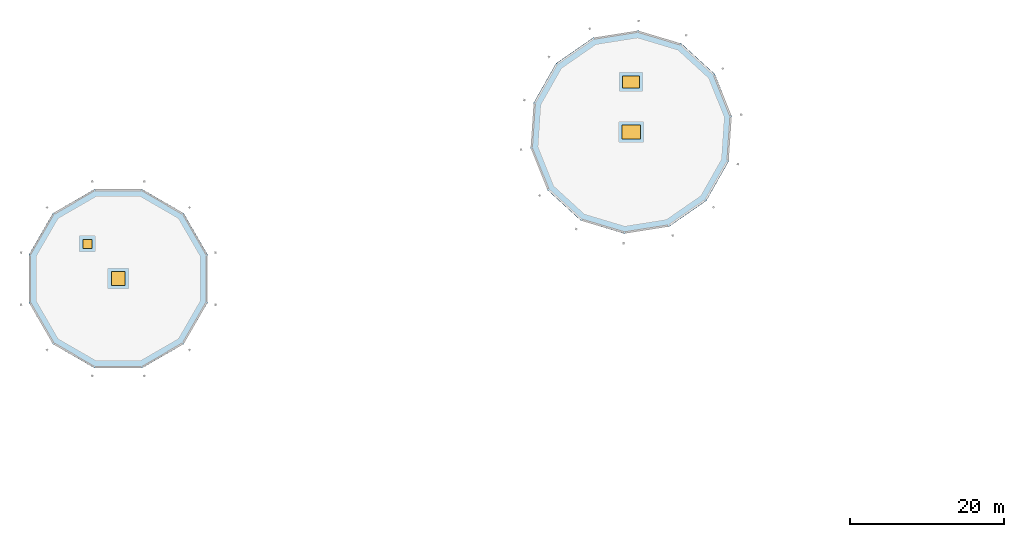
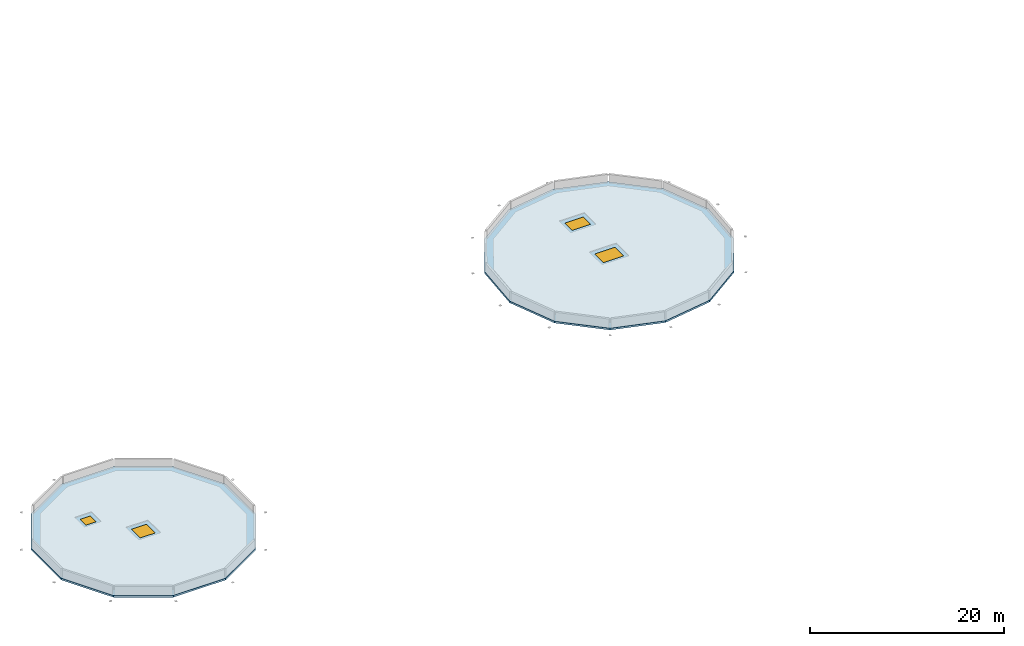
# One storey, part 5 of 18: 4 windows, 2 slabs, 4 openings.
"""IFC4 building model written with IfcOpenShell, lengths in metres."""

import ifcopenshell
import ifcopenshell.guid

model = None  # the IFC model being written
_history = None  # IfcOwnerHistory: only IFC2X3 demands one
_inside = {}  # id of a spatial element -> (the spatial element, [elements in it])
_under = {}  # id of a project, library or spatial element -> (it, [spatial elements below it])
_declared = {}  # id of a project -> (the project, [libraries it declares])
_typed = {}  # id of a type object -> (the type object, [elements of that type])
_made_of = {}  # id of a material, layer set ... -> (it, [elements and type objects made of it])


def new_model(schema):
    """Start an empty IFC model of exactly this schema.

    Asked for "IFC4X3", IfcOpenShell would pick the latest addendum, in which some entities
    have other attributes; the version numbers below select the first issue.
    IFC2X3 requires an IfcOwnerHistory on every rooted entity: one is made here for all.
    """
    global model, _history
    if schema == "IFC4X3":
        model = ifcopenshell.file(schema_version=(4, 3, 0, 0))
    else:
        model = ifcopenshell.file(schema=schema)
    _inside.clear()
    _under.clear()
    _declared.clear()
    _typed.clear()
    _made_of.clear()
    _history = None
    if model.schema == "IFC2X3":
        org = make("IfcOrganization", Name="unknown")
        user = make(
            "IfcPersonAndOrganization",
            ThePerson=make("IfcPerson", FamilyName="unknown"),
            TheOrganization=org,
        )
        app = make(
            "IfcApplication",
            ApplicationDeveloper=org,
            Version="unknown",
            ApplicationFullName="unknown",
            ApplicationIdentifier="unknown",
        )
        _history = make(
            "IfcOwnerHistory",
            OwningUser=user,
            OwningApplication=app,
            ChangeAction="ADDED",
            CreationDate=0,
        )
    return model


def make(cls, **values):
    """One entity of the class cls with the attributes given. An attribute that is None is left unset."""
    return model.create_entity(
        cls, **{name: value for name, value in values.items() if value is not None}
    )


def rooted(cls, **values):
    """An entity with a GlobalId (a new one), such as an element, a storey or a relation."""
    return make(cls, GlobalId=ifcopenshell.guid.new(), OwnerHistory=_history, **values)


def si_unit(unit_type, name, prefix=None):
    """IfcSIUnit, for example si_unit("LENGTHUNIT", "METRE", prefix="MILLI")."""
    return make("IfcSIUnit", UnitType=unit_type, Prefix=prefix, Name=name)


def assignment(units):
    """IfcUnitAssignment: the units of a project."""
    return None if units is None else make("IfcUnitAssignment", Units=units)


def point(xyz):
    """IfcCartesianPoint."""
    return None if xyz is None else make("IfcCartesianPoint", Coordinates=xyz)


def direction(xyz):
    """IfcDirection."""
    return None if xyz is None else make("IfcDirection", DirectionRatios=xyz)


def frame(location, z_axis=None, x_axis=None):
    """IfcAxis2Placement3D, a coordinate frame: its origin and axes. An axis left out is left unset."""
    return make(
        "IfcAxis2Placement3D",
        Location=point(location),
        Axis=direction(z_axis),
        RefDirection=direction(x_axis),
    )


def frame_2d(location, x_axis=None):
    """IfcAxis2Placement2D, a coordinate frame in the plane: its origin and x axis."""
    return make(
        "IfcAxis2Placement2D", Location=point(location), RefDirection=direction(x_axis)
    )


def origin():
    """The frame at (0, 0, 0) with its axes left unset."""
    return frame((0.0, 0.0, 0.0))


def origin_2d():
    """The frame at (0, 0) in the plane with its x axis left unset."""
    return frame_2d((0.0, 0.0))


def place(relative_to, where):
    """IfcLocalPlacement: puts the frame where relative to a parent placement (None: the world)."""
    return make(
        "IfcLocalPlacement", PlacementRelTo=relative_to, RelativePlacement=where
    )


def context(
    kind, dimensions, precision=None, world=None, true_north=None, identifier=None
):
    """IfcGeometricRepresentationContext, for example the 3D "Model" context."""
    return make(
        "IfcGeometricRepresentationContext",
        ContextIdentifier=identifier,
        ContextType=kind,
        CoordinateSpaceDimension=dimensions,
        Precision=precision,
        WorldCoordinateSystem=world,
        TrueNorth=true_north,
    )


def subcontext(parent, identifier, kind, view, scale=None):
    """IfcGeometricRepresentationSubContext, for example "Body" below "Model"."""
    return make(
        "IfcGeometricRepresentationSubContext",
        ContextIdentifier=identifier,
        ContextType=kind,
        ParentContext=parent,
        TargetScale=scale,
        TargetView=view,
    )


def project(units=None, contexts=None):
    """IfcProject with its units and contexts."""
    return rooted(
        "IfcProject",
        Name="project",
        RepresentationContexts=contexts,
        UnitsInContext=assignment(units),
    )


def spatial(cls, under=None, at=None, **own):
    """A site, building, storey or space (cls), placed at a placement, below another one or the project."""
    s = rooted(cls, ObjectPlacement=at, **own)
    if under is not None:
        _under.setdefault(under.id(), (under, []))[1].append(s)
    return s


def polyline(points):
    """IfcPolyline through the points."""
    return make("IfcPolyline", Points=[point(p) for p in points])


def profile(cls, at=None, kind="AREA", **sizes):
    """A parametric profile (cls). Its sizes go by their IFC names, for example OverallWidth=200.0."""
    return make(cls, ProfileType=kind, Position=at, **sizes)


def rectangle(**sizes):
    """IfcRectangleProfileDef."""
    return profile("IfcRectangleProfileDef", **sizes)


def outline(outer, holes=None, kind="AREA"):
    """IfcArbitraryClosedProfileDef: a profile drawn as a closed curve; with holes, ...WithVoids."""
    if holes is None:
        return make("IfcArbitraryClosedProfileDef", ProfileType=kind, OuterCurve=outer)
    return make(
        "IfcArbitraryProfileDefWithVoids",
        ProfileType=kind,
        OuterCurve=outer,
        InnerCurves=holes,
    )


def extrude(swept, where, along, depth):
    """IfcExtrudedAreaSolid: the profile swept, set in the frame where, extruded along a direction by depth."""
    return make(
        "IfcExtrudedAreaSolid",
        SweptArea=swept,
        Position=where,
        ExtrudedDirection=direction(along),
        Depth=depth,
    )


def shape(context_of_items, identifier, shape_type, items):
    """IfcShapeRepresentation: the items that make up one representation, for example the "Body"."""
    return make(
        "IfcShapeRepresentation",
        ContextOfItems=context_of_items,
        RepresentationIdentifier=identifier,
        RepresentationType=shape_type,
        Items=items,
    )


def material(Name=None, Category=None):
    """IfcMaterial."""
    return make("IfcMaterial", Name=Name, Category=Category)


def layer(
    of_material, thickness, ventilated=None, Name=None, Category=None, Priority=None
):
    """IfcMaterialLayer: one layer of a wall or slab, of a material (None: an air gap)."""
    return make(
        "IfcMaterialLayer",
        Material=of_material,
        LayerThickness=thickness,
        IsVentilated=ventilated,
        Name=Name,
        Category=Category,
        Priority=Priority,
    )


def layer_set(layers, Name=None):
    """IfcMaterialLayerSet."""
    return make("IfcMaterialLayerSet", MaterialLayers=layers, LayerSetName=Name)


def made_of(thing, what):
    """Note that an element or type object is made of a material, layer set ...; save() writes the relation."""
    if what is not None:
        _made_of.setdefault(what.id(), (what, []))[1].append(thing)
    return thing


def type_object(cls, material=None, **own):
    """A type object (cls), such as IfcWallType, which elements share."""
    return made_of(rooted(cls, **own), material)


def element(
    cls,
    number,
    at=None,
    inside=None,
    cuts=None,
    type_object=None,
    material=None,
    context=None,
    identifier="Body",
    shape_type=None,
    held_by="IfcProductDefinitionShape",
    body=None,
    shapes=None,
    **own,
):
    """One element of the class cls, such as IfcWall. Its Tag is "e" and its number.

    at: its placement. inside: the storey or other place that contains it. cuts: it is an
    opening in that element (IfcRelVoidsElement). A single representation is given by context,
    identifier, shape_type and body (its items); several are given by shapes. held_by: the class
    of the entity that holds the representations. save() writes the other relations.
    """
    e = rooted(cls, Tag="e%d" % number, ObjectPlacement=at, **own)
    if body is not None:
        shapes = [shape(context, identifier, shape_type, body)]
    if shapes is not None:
        e.Representation = make(held_by, Representations=shapes)
    if inside is not None:
        _inside.setdefault(inside.id(), (inside, []))[1].append(e)
    if cuts is not None:
        rooted(
            "IfcRelVoidsElement", RelatingBuildingElement=cuts, RelatedOpeningElement=e
        )
    if type_object is not None:
        _typed.setdefault(type_object.id(), (type_object, []))[1].append(e)
    return made_of(e, material)


def fill(opening, filler):
    """IfcRelFillsElement: the door or window that sits in an opening."""
    return rooted(
        "IfcRelFillsElement",
        RelatingOpeningElement=opening,
        RelatedBuildingElement=filler,
    )


def aggregate(whole, parts):
    """IfcRelAggregates: a whole, such as a stair, and the parts it consists of."""
    return rooted("IfcRelAggregates", RelatingObject=whole, RelatedObjects=parts)


def save(model, path):
    """Write the relations noted so far, then the file.

    IfcRelAggregates (storeys below a building ...), IfcRelContainedInSpatialStructure (elements
    in a storey), IfcRelDefinesByType, IfcRelAssociatesMaterial and IfcRelDeclares: one each for
    every whole, place, type object, material and project.
    """
    for whole, parts in _under.values():
        aggregate(whole, parts)
    for where, things in _inside.values():
        rooted(
            "IfcRelContainedInSpatialStructure",
            RelatedElements=things,
            RelatingStructure=where,
        )
    for kind, things in _typed.values():
        rooted("IfcRelDefinesByType", RelatedObjects=things, RelatingType=kind)
    for what, things in _made_of.values():
        rooted("IfcRelAssociatesMaterial", RelatedObjects=things, RelatingMaterial=what)
    for by, libraries in _declared.values():
        rooted("IfcRelDeclares", RelatingContext=by, RelatedDefinitions=libraries)
    model.write(path)


model = new_model("IFC4")

# Units and contexts
model_context = context("Model", 3, precision=1e-05, world=origin(), true_north=direction((0.0, 1.0)))
body_context = subcontext(model_context, "Body", "Model", "MODEL_VIEW")
ifc_project = project(units=[si_unit("LENGTHUNIT", "METRE"), si_unit("AREAUNIT", "SQUARE_METRE"), si_unit("VOLUMEUNIT", "CUBIC_METRE"), si_unit("PLANEANGLEUNIT", "RADIAN"), si_unit("MASSUNIT", "GRAM", prefix="KILO")], contexts=[model_context])

# Site, building, storey
site_placement = place(None, origin())
site = spatial("IfcSite", under=ifc_project, at=site_placement, CompositionType="ELEMENT")
building_placement = place(site_placement, origin())
building = spatial("IfcBuilding", under=site, at=building_placement, Name="Wrenclough Park School", CompositionType="ELEMENT")
storey_placement = place(building_placement, frame((0.0, 0.0, 20.800048828125)))
storey = spatial("IfcBuildingStorey", under=building, at=storey_placement, Name="L05", CompositionType="ELEMENT", Elevation=20.800048828125)

# Slab, openings, windows
ifc_material_1 = material(Name="Concrete C32/40", Category="concrete")
ifc_layer = layer(ifc_material_1, 0.22509765625)
ifc_layer_set = layer_set([ifc_layer], Name="Concrete C32/40")
slab_type = type_object("IfcSlabType", Name="STR-SL-RF225", PredefinedType="ROOF", material=ifc_layer_set)
slab_1_placement = place(storey_placement, frame((0.0, 0.0, -0.22509765625)))
slab_1 = element("IfcSlab", 1, at=slab_1_placement, inside=storey, type_object=slab_type, Name="D3 L05 structural slab SLAB-D3-ROOF", PredefinedType="ROOF", context=body_context, shape_type="SweptSolid", body=[
    extrude(outline(polyline([(28.091064453125, 92.605712890625), (24.9853515625, 97.9853515625), (19.605712890625, 101.091064453125), (13.394287109375, 101.091064453125), (8.0146484375, 97.9853515625), (4.908935546875, 92.605712890625), (4.908935546875, 86.394287109375), (8.0146484375, 81.0146484375), (13.394287109375, 77.908935546875), (19.605712890625, 77.908935546875), (24.9853515625, 81.0146484375), (28.091064453125, 86.394287109375), (28.091064453125, 92.605712890625)])), origin(), (0.0, 0.0, 1.0), 0.22509765625),
])
opening_1_placement = place(slab_1_placement, frame((16.5, 89.5, -0.010009765625)))
opening_1 = element("IfcOpeningElement", 2, at=opening_1_placement, cuts=slab_1, Name="Opening SK-03", PredefinedType="OPENING", context=body_context, shape_type="SweptSolid", body=[
    extrude(rectangle(XDim=1.800048828125, YDim=1.800048828125, at=origin_2d()), origin(), (0.0, 0.0, 1.0), 0.2451171875),
])
opening_2_placement = place(slab_1_placement, frame((12.5, 94.0, -0.010009765625)))
opening_2 = element("IfcOpeningElement", 3, at=opening_2_placement, cuts=slab_1, Name="Opening SK-01", PredefinedType="OPENING", context=body_context, shape_type="SweptSolid", body=[
    extrude(rectangle(XDim=1.199951171875, YDim=1.199951171875, at=origin_2d()), origin(), (0.0, 0.0, 1.0), 0.2451171875),
])
ifc_material_2 = material(Name="Thermally broken aluminium skylight glazing", Category="aluminium")
window_type_1 = type_object("IfcWindowType", Name="ENV-SK-01", PartitioningType="SINGLE_PANEL", PredefinedType="SKYLIGHT", material=ifc_material_2)
placement_1 = place(slab_1_placement, frame((12.5, 94.0, 0.0)))
window_1_placement = place(placement_1, frame((0.0, 0.0, 0.175048828125)))
window_1 = element("IfcWindow", 4, at=window_1_placement, inside=storey, type_object=window_type_1, Name="Roof skylight or access hatch SK-D3-2", OverallHeight=1.199951171875, OverallWidth=1.199951171875, PartitioningType="SINGLE_PANEL", PredefinedType="SKYLIGHT", context=body_context, shape_type="SweptSolid", body=[
    extrude(rectangle(XDim=1.199951171875, YDim=1.199951171875, at=origin_2d()), origin(), (0.0, 0.0, 1.0), 0.050048828125),
])
fill(opening_2, window_1)
window_type_2 = type_object("IfcWindowType", Name="ENV-SK-03", PartitioningType="SINGLE_PANEL", PredefinedType="SKYLIGHT", material=ifc_material_2)
placement_2 = place(slab_1_placement, frame((16.5, 89.5, 0.0)))
window_2_placement = place(placement_2, frame((0.0, 0.0, 0.175048828125)))
window_2 = element("IfcWindow", 5, at=window_2_placement, inside=storey, type_object=window_type_2, Name="Roof skylight or access hatch SK-D3-1", OverallHeight=1.800048828125, OverallWidth=1.800048828125, PartitioningType="SINGLE_PANEL", PredefinedType="SKYLIGHT", context=body_context, shape_type="SweptSolid", body=[
    extrude(rectangle(XDim=1.800048828125, YDim=1.800048828125, at=origin_2d()), origin(), (0.0, 0.0, 1.0), 0.050048828125),
])
fill(opening_1, window_2)

slab_2_placement = place(storey_placement, frame((0.0, 0.0, -0.22509765625)))
slab_2 = element("IfcSlab", 6, at=slab_2_placement, inside=storey, type_object=slab_type, Name="D4 L05 structural slab SLAB-D4-ROOF", PredefinedType="ROOF", context=body_context, shape_type="SweptSolid", body=[
    extrude(outline(polyline([(96.03759765625, 110.56494140625), (93.850341796875, 116.01708984375), (89.514404296875, 119.980712890625), (83.887939453125, 121.670166015625), (78.085693359375, 120.751220703125), (73.2568359375, 117.40576171875), (70.357666015625, 112.29638671875), (69.96240234375, 106.43505859375), (72.149658203125, 100.98291015625), (76.485595703125, 97.019287109375), (82.112060546875, 95.329833984375), (87.914306640625, 96.248779296875), (92.7431640625, 99.59423828125), (95.642333984375, 104.70361328125), (96.03759765625, 110.56494140625)])), origin(), (0.0, 0.0, 1.0), 0.22509765625),
])
opening_3_placement = place(slab_2_placement, frame((83.0, 108.5, -0.010009765625)))
opening_3 = element("IfcOpeningElement", 7, at=opening_3_placement, cuts=slab_2, Name="Opening SK-04", PredefinedType="OPENING", context=body_context, shape_type="SweptSolid", body=[
    extrude(rectangle(XDim=2.39990234375, YDim=1.800048828125, at=origin_2d()), origin(), (0.0, 0.0, 1.0), 0.2451171875),
])
opening_4_placement = place(slab_2_placement, frame((83.0, 115.0, -0.010009765625)))
opening_4 = element("IfcOpeningElement", 8, at=opening_4_placement, cuts=slab_2, Name="Opening SK-07", PredefinedType="OPENING", context=body_context, shape_type="SweptSolid", body=[
    extrude(rectangle(XDim=2.199951171875, YDim=1.5, at=origin_2d()), origin(), (0.0, 0.0, 1.0), 0.2451171875),
])
window_type_3 = type_object("IfcWindowType", Name="ENV-SK-04", PartitioningType="SINGLE_PANEL", PredefinedType="SKYLIGHT", material=ifc_material_2)
placement_3 = place(slab_2_placement, frame((83.0, 108.5, 0.0)))
window_3_placement = place(placement_3, frame((0.0, 0.0, 0.175048828125)))
window_3 = element("IfcWindow", 9, at=window_3_placement, inside=storey, type_object=window_type_3, Name="Roof skylight or access hatch SK-D4-1", OverallHeight=1.800048828125, OverallWidth=2.39990234375, PartitioningType="SINGLE_PANEL", PredefinedType="SKYLIGHT", context=body_context, shape_type="SweptSolid", body=[
    extrude(rectangle(XDim=2.39990234375, YDim=1.800048828125, at=origin_2d()), origin(), (0.0, 0.0, 1.0), 0.050048828125),
])
fill(opening_3, window_3)
window_type_4 = type_object("IfcWindowType", Name="ENV-SK-07", PartitioningType="SINGLE_PANEL", PredefinedType="SKYLIGHT", material=ifc_material_2)
placement_4 = place(slab_2_placement, frame((83.0, 115.0, 0.0)))
window_4_placement = place(placement_4, frame((0.0, 0.0, 0.175048828125)))
window_4 = element("IfcWindow", 10, at=window_4_placement, inside=storey, type_object=window_type_4, Name="Roof skylight or access hatch SK-D4-2", OverallHeight=1.5, OverallWidth=2.199951171875, PartitioningType="SINGLE_PANEL", PredefinedType="SKYLIGHT", context=body_context, shape_type="SweptSolid", body=[
    extrude(rectangle(XDim=2.199951171875, YDim=1.5, at=origin_2d()), origin(), (0.0, 0.0, 1.0), 0.050048828125),
])
fill(opening_4, window_4)

save(model, "model.ifc")
